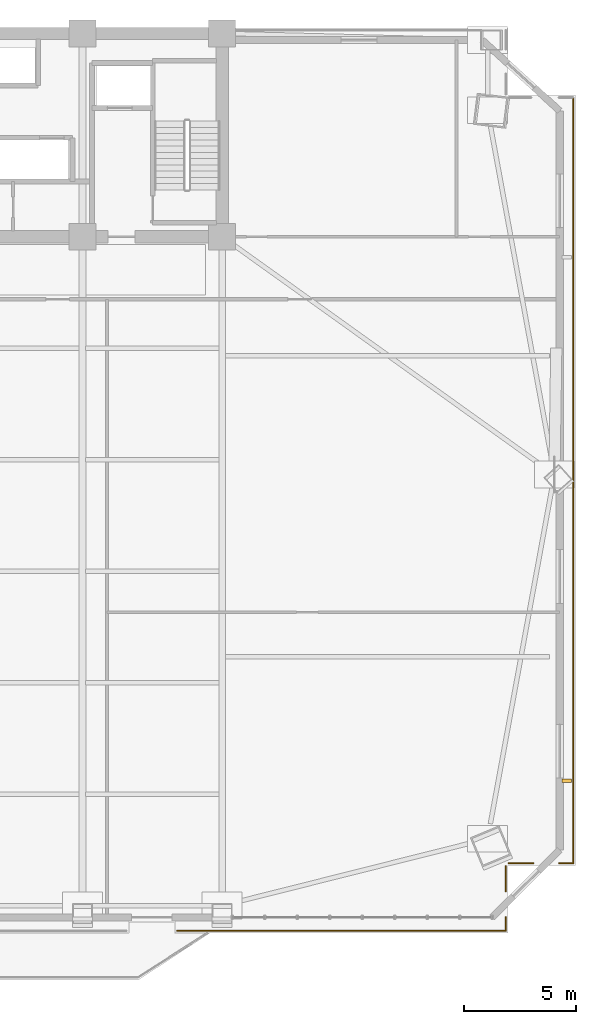
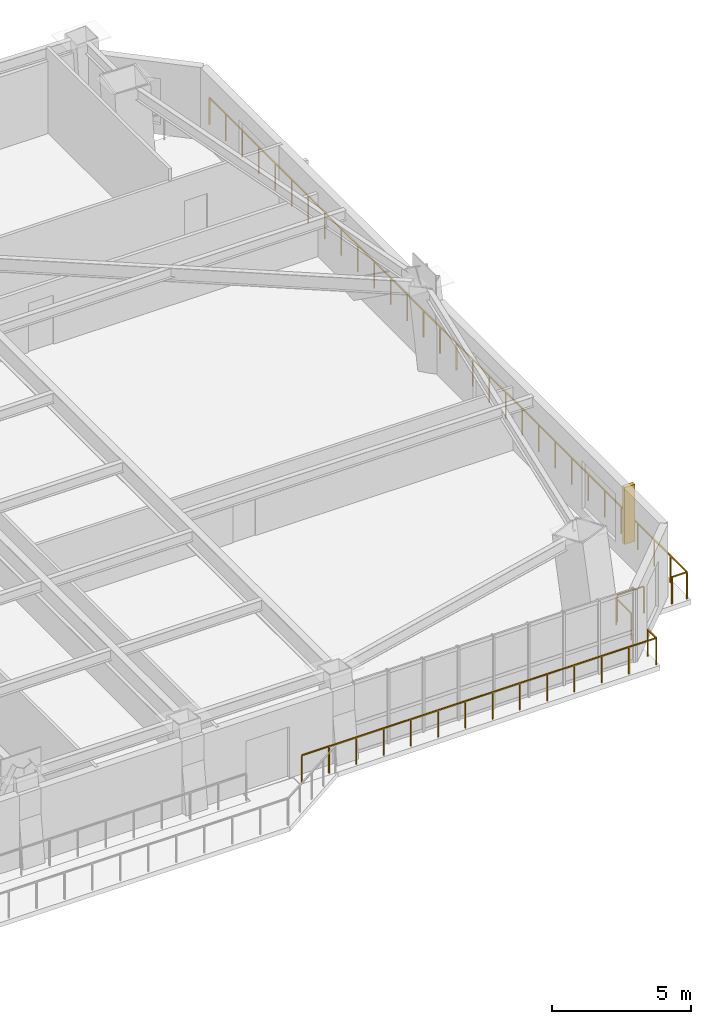
# One storey, part 13 of 15: 6 railings, 1 shading device.
"""IFC4 building model written with IfcOpenShell, lengths in metres."""

from ifc_helpers import new_model, si_unit, direction, frame, origin, origin_2d, place, context, subcontext, project, spatial, rectangle, extrude, source, transform, mapped, material, type_object, element, save


model = new_model("IFC4")

# Units and contexts
model_context = context("Model", 3, precision=1e-05, world=origin(), true_north=direction((0.0, 1.0)))
body_context = subcontext(model_context, "Body", "Model", "MODEL_VIEW")
ifc_project = project(units=[si_unit("LENGTHUNIT", "METRE"), si_unit("AREAUNIT", "SQUARE_METRE"), si_unit("VOLUMEUNIT", "CUBIC_METRE"), si_unit("PLANEANGLEUNIT", "RADIAN"), si_unit("MASSUNIT", "GRAM", prefix="KILO")], contexts=[model_context])

# Site, building, storey
site_placement = place(None, origin())
site = spatial("IfcSite", under=ifc_project, at=site_placement, CompositionType="ELEMENT")
building_placement = place(site_placement, origin())
building = spatial("IfcBuilding", under=site, at=building_placement, Name="Giltprow Tower", CompositionType="ELEMENT")
storey_placement = place(building_placement, frame((0.0, 0.0, 119.199951171875)))
storey = spatial("IfcBuildingStorey", under=building, at=storey_placement, Name="L29", CompositionType="ELEMENT", Elevation=119.199951171875)

# Railings
ifc_material = material(Name="Anodized bronze", Category="metal")
railing_type = type_object("IfcRailingType", Name="RAIL-BALC-GUARD-1200", PredefinedType="BALUSTRADE", material=ifc_material)
railing_1_placement = place(storey_placement, frame((66.256103515625, 43.68310546875, 0.0)))
element("IfcRailing", 1, at=railing_1_placement, inside=storey, type_object=railing_type, Name="L29 Corner Apron Edge Balustrade 16", PredefinedType="BALUSTRADE", context=body_context, shape_type="SweptSolid", body=[
    extrude(rectangle(XDim=0.048095703125, YDim=0.048095703125, at=origin_2d()), frame((0.0, 0.0, 1.17578125), z_axis=(0.0, -1.0, 0.0), x_axis=(1.0, 0.0, 0.0)), (0.0, 0.0, 1.0), 34.276123046875),
    extrude(rectangle(XDim=0.0419921875, YDim=0.0419921875, at=origin_2d()), origin(), (0.0, 0.0, 1.0), 1.15185546875),
    extrude(rectangle(XDim=0.0419921875, YDim=0.0419921875, at=origin_2d()), frame((0.0, -1.181884765625, 0.0)), (0.0, 0.0, 1.0), 1.15185546875),
    extrude(rectangle(XDim=0.0419921875, YDim=0.0419921875, at=origin_2d()), frame((0.0, -2.36376953125, 0.0)), (0.0, 0.0, 1.0), 1.15185546875),
    extrude(rectangle(XDim=0.0419921875, YDim=0.0419921875, at=origin_2d()), frame((0.0, -3.5458984375, 0.0)), (0.0, 0.0, 1.0), 1.15185546875),
    extrude(rectangle(XDim=0.0419921875, YDim=0.0419921875, at=origin_2d()), frame((0.0, -4.727783203125, 0.0)), (0.0, 0.0, 1.0), 1.15185546875),
    extrude(rectangle(XDim=0.0419921875, YDim=0.0419921875, at=origin_2d()), frame((0.0, -5.90966796875, 0.0)), (0.0, 0.0, 1.0), 1.15185546875),
    extrude(rectangle(XDim=0.0419921875, YDim=0.0419921875, at=origin_2d()), frame((0.0, -7.091552734375, 0.0)), (0.0, 0.0, 1.0), 1.15185546875),
    extrude(rectangle(XDim=0.0419921875, YDim=0.0419921875, at=origin_2d()), frame((0.0, -8.2734375, 0.0)), (0.0, 0.0, 1.0), 1.15185546875),
    extrude(rectangle(XDim=0.0419921875, YDim=0.0419921875, at=origin_2d()), frame((0.0, -9.45556640625, 0.0)), (0.0, 0.0, 1.0), 1.15185546875),
    extrude(rectangle(XDim=0.0419921875, YDim=0.0419921875, at=origin_2d()), frame((0.0, -10.637451171875, 0.0)), (0.0, 0.0, 1.0), 1.15185546875),
    extrude(rectangle(XDim=0.0419921875, YDim=0.0419921875, at=origin_2d()), frame((0.0, -11.8193359375, 0.0)), (0.0, 0.0, 1.0), 1.15185546875),
    extrude(rectangle(XDim=0.0419921875, YDim=0.0419921875, at=origin_2d()), frame((0.0, -13.001220703125, 0.0)), (0.0, 0.0, 1.0), 1.15185546875),
    extrude(rectangle(XDim=0.0419921875, YDim=0.0419921875, at=origin_2d()), frame((0.0, -14.18310546875, 0.0)), (0.0, 0.0, 1.0), 1.15185546875),
    extrude(rectangle(XDim=0.0419921875, YDim=0.0419921875, at=origin_2d()), frame((0.0, -15.365234375, 0.0)), (0.0, 0.0, 1.0), 1.15185546875),
    extrude(rectangle(XDim=0.0419921875, YDim=0.0419921875, at=origin_2d()), frame((0.0, -16.547119140625, 0.0)), (0.0, 0.0, 1.0), 1.15185546875),
    extrude(rectangle(XDim=0.0419921875, YDim=0.0419921875, at=origin_2d()), frame((0.0, -17.72900390625, 0.0)), (0.0, 0.0, 1.0), 1.15185546875),
    extrude(rectangle(XDim=0.0419921875, YDim=0.0419921875, at=origin_2d()), frame((0.0, -18.910888671875, 0.0)), (0.0, 0.0, 1.0), 1.15185546875),
    extrude(rectangle(XDim=0.0419921875, YDim=0.0419921875, at=origin_2d()), frame((0.0, -20.093017578125, 0.0)), (0.0, 0.0, 1.0), 1.15185546875),
    extrude(rectangle(XDim=0.0419921875, YDim=0.0419921875, at=origin_2d()), frame((0.0, -21.27490234375, 0.0)), (0.0, 0.0, 1.0), 1.15185546875),
    extrude(rectangle(XDim=0.0419921875, YDim=0.0419921875, at=origin_2d()), frame((0.0, -22.456787109375, 0.0)), (0.0, 0.0, 1.0), 1.15185546875),
    extrude(rectangle(XDim=0.0419921875, YDim=0.0419921875, at=origin_2d()), frame((0.0, -23.638671875, 0.0)), (0.0, 0.0, 1.0), 1.15185546875),
    extrude(rectangle(XDim=0.0419921875, YDim=0.0419921875, at=origin_2d()), frame((0.0, -24.820556640625, 0.0)), (0.0, 0.0, 1.0), 1.15185546875),
    extrude(rectangle(XDim=0.0419921875, YDim=0.0419921875, at=origin_2d()), frame((0.0, -26.002685546875, 0.0)), (0.0, 0.0, 1.0), 1.15185546875),
    extrude(rectangle(XDim=0.0419921875, YDim=0.0419921875, at=origin_2d()), frame((0.0, -27.1845703125, 0.0)), (0.0, 0.0, 1.0), 1.15185546875),
    extrude(rectangle(XDim=0.0419921875, YDim=0.0419921875, at=origin_2d()), frame((0.0, -28.366455078125, 0.0)), (0.0, 0.0, 1.0), 1.15185546875),
    extrude(rectangle(XDim=0.0419921875, YDim=0.0419921875, at=origin_2d()), frame((0.0, -29.54833984375, 0.0)), (0.0, 0.0, 1.0), 1.15185546875),
    extrude(rectangle(XDim=0.0419921875, YDim=0.0419921875, at=origin_2d()), frame((0.0, -30.730224609375, 0.0)), (0.0, 0.0, 1.0), 1.15185546875),
    extrude(rectangle(XDim=0.0419921875, YDim=0.0419921875, at=origin_2d()), frame((0.0, -31.912353515625, 0.0)), (0.0, 0.0, 1.0), 1.15185546875),
    extrude(rectangle(XDim=0.0419921875, YDim=0.0419921875, at=origin_2d()), frame((0.0, -33.09423828125, 0.0)), (0.0, 0.0, 1.0), 1.15185546875),
    extrude(rectangle(XDim=0.0419921875, YDim=0.0419921875, at=origin_2d()), frame((0.0, -34.276123046875, 0.0)), (0.0, 0.0, 1.0), 1.15185546875),
])
railing_2_placement = place(storey_placement, frame((66.256103515625, 9.406982421875, 0.0)))
element("IfcRailing", 2, at=railing_2_placement, inside=storey, type_object=railing_type, Name="L29 Corner Apron Edge Balustrade 17", PredefinedType="BALUSTRADE", context=body_context, shape_type="SweptSolid", body=[
    extrude(rectangle(XDim=0.048095703125, YDim=0.048095703125, at=origin_2d()), frame((0.0, 0.0, 1.17578125), z_axis=(-1.0, 0.0, 0.0), x_axis=(0.0, -1.0, 0.0)), (0.0, 0.0, 1.0), 0.6201171875),
    extrude(rectangle(XDim=0.0419921875, YDim=0.0419921875, at=origin_2d()), origin(), (0.0, 0.0, 1.0), 1.15185546875),
    extrude(rectangle(XDim=0.0419921875, YDim=0.0419921875, at=origin_2d()), frame((-0.6201171875, 0.0, 0.0)), (0.0, 0.0, 1.0), 1.15185546875),
])
railing_3_placement = place(storey_placement, frame((64.47607421875, 9.406982421875, 0.0)))
element("IfcRailing", 3, at=railing_3_placement, inside=storey, type_object=railing_type, Name="L29 Corner Apron Edge Balustrade 18", PredefinedType="BALUSTRADE", context=body_context, shape_type="SweptSolid", body=[
    extrude(rectangle(XDim=0.048095703125, YDim=0.048095703125, at=origin_2d()), frame((0.0, 0.0, 1.17578125), z_axis=(-1.0, 0.0, 0.0), x_axis=(0.0, -1.0, 0.0)), (0.0, 0.0, 1.0), 1.10205078125),
    extrude(rectangle(XDim=0.0419921875, YDim=0.0419921875, at=origin_2d()), origin(), (0.0, 0.0, 1.0), 1.15185546875),
    extrude(rectangle(XDim=0.0419921875, YDim=0.0419921875, at=origin_2d()), frame((-1.10205078125, 0.0, 0.0)), (0.0, 0.0, 1.0), 1.15185546875),
])
railing_4_placement = place(storey_placement, frame((63.239013671875, 9.27197265625, 0.0)))
element("IfcRailing", 4, at=railing_4_placement, inside=storey, type_object=railing_type, Name="L29 Corner Apron Edge Balustrade 19", PredefinedType="BALUSTRADE", context=body_context, shape_type="SweptSolid", body=[
    extrude(rectangle(XDim=0.048095703125, YDim=0.048095703125, at=origin_2d()), frame((0.0, 0.0, 1.17578125), z_axis=(0.0, -1.0, 0.0), x_axis=(1.0, 0.0, 0.0)), (0.0, 0.0, 1.0), 1.10205078125),
    extrude(rectangle(XDim=0.0419921875, YDim=0.0419921875, at=origin_2d()), origin(), (0.0, 0.0, 1.0), 1.15185546875),
    extrude(rectangle(XDim=0.0419921875, YDim=0.0419921875, at=origin_2d()), frame((0.0, -1.10205078125, 0.0)), (0.0, 0.0, 1.0), 1.15185546875),
])
railing_5_placement = place(storey_placement, frame((63.239013671875, 7.010009765625, 0.0)))
element("IfcRailing", 5, at=railing_5_placement, inside=storey, type_object=railing_type, Name="L29 Corner Apron Edge Balustrade 20", PredefinedType="BALUSTRADE", context=body_context, shape_type="SweptSolid", body=[
    extrude(rectangle(XDim=0.048095703125, YDim=0.048095703125, at=origin_2d()), frame((0.0, 0.0, 1.17578125), z_axis=(0.0, -1.0, 0.0), x_axis=(1.0, 0.0, 0.0)), (0.0, 0.0, 1.0), 0.6201171875),
    extrude(rectangle(XDim=0.0419921875, YDim=0.0419921875, at=origin_2d()), origin(), (0.0, 0.0, 1.0), 1.15185546875),
    extrude(rectangle(XDim=0.0419921875, YDim=0.0419921875, at=origin_2d()), frame((0.0, -0.6201171875, 0.0)), (0.0, 0.0, 1.0), 1.15185546875),
])
railing_6_placement = place(storey_placement, frame((63.239013671875, 6.389892578125, 0.0)))
element("IfcRailing", 6, at=railing_6_placement, inside=storey, type_object=railing_type, Name="L29 Corner Apron Edge Balustrade 21", PredefinedType="BALUSTRADE", context=body_context, shape_type="SweptSolid", body=[
    extrude(rectangle(XDim=0.048095703125, YDim=0.048095703125, at=origin_2d()), frame((0.0, 0.0, 1.17578125), z_axis=(-1.0, 0.0, 0.0), x_axis=(0.0, -1.0, 0.0)), (0.0, 0.0, 1.0), 14.68896484375),
    extrude(rectangle(XDim=0.0419921875, YDim=0.0419921875, at=origin_2d()), origin(), (0.0, 0.0, 1.0), 1.15185546875),
    extrude(rectangle(XDim=0.0419921875, YDim=0.0419921875, at=origin_2d()), frame((-1.1298828125, 0.0, 0.0)), (0.0, 0.0, 1.0), 1.15185546875),
    extrude(rectangle(XDim=0.0419921875, YDim=0.0419921875, at=origin_2d()), frame((-2.259765625, 0.0, 0.0)), (0.0, 0.0, 1.0), 1.15185546875),
    extrude(rectangle(XDim=0.0419921875, YDim=0.0419921875, at=origin_2d()), frame((-3.3896484375, 0.0, 0.0)), (0.0, 0.0, 1.0), 1.15185546875),
    extrude(rectangle(XDim=0.0419921875, YDim=0.0419921875, at=origin_2d()), frame((-4.519775390625, 0.0, 0.0)), (0.0, 0.0, 1.0), 1.15185546875),
    extrude(rectangle(XDim=0.0419921875, YDim=0.0419921875, at=origin_2d()), frame((-5.649658203125, 0.0, 0.0)), (0.0, 0.0, 1.0), 1.15185546875),
    extrude(rectangle(XDim=0.0419921875, YDim=0.0419921875, at=origin_2d()), frame((-6.779541015625, 0.0, 0.0)), (0.0, 0.0, 1.0), 1.15185546875),
    extrude(rectangle(XDim=0.0419921875, YDim=0.0419921875, at=origin_2d()), frame((-7.909423828125, 0.0, 0.0)), (0.0, 0.0, 1.0), 1.15185546875),
    extrude(rectangle(XDim=0.0419921875, YDim=0.0419921875, at=origin_2d()), frame((-9.039306640625, 0.0, 0.0)), (0.0, 0.0, 1.0), 1.15185546875),
    extrude(rectangle(XDim=0.0419921875, YDim=0.0419921875, at=origin_2d()), frame((-10.169189453125, 0.0, 0.0)), (0.0, 0.0, 1.0), 1.15185546875),
    extrude(rectangle(XDim=0.0419921875, YDim=0.0419921875, at=origin_2d()), frame((-11.29931640625, 0.0, 0.0)), (0.0, 0.0, 1.0), 1.15185546875),
    extrude(rectangle(XDim=0.0419921875, YDim=0.0419921875, at=origin_2d()), frame((-12.42919921875, 0.0, 0.0)), (0.0, 0.0, 1.0), 1.15185546875),
    extrude(rectangle(XDim=0.0419921875, YDim=0.0419921875, at=origin_2d()), frame((-13.55908203125, 0.0, 0.0)), (0.0, 0.0, 1.0), 1.15185546875),
    extrude(rectangle(XDim=0.0419921875, YDim=0.0419921875, at=origin_2d()), frame((-14.68896484375, 0.0, 0.0)), (0.0, 0.0, 1.0), 1.15185546875),
])

# Shading device
shading_device_type = type_object("IfcShadingDeviceType", Name="SHD-FIN-420", PredefinedType="USERDEFINED", material=ifc_material)
shared_shape = source(origin(), body_context, "Body", "SweptSolid", [
    extrude(rectangle(XDim=0.419921875, YDim=0.159912109375, at=origin_2d()), origin(), (0.0, 0.0, 1.0), 2.5),
])
shading_device_placement = place(storey_placement, frame((65.97607421875, 13.110107421875, 0.35009765625), z_axis=(0.0, 0.0, 1.0), x_axis=(1.0, 0.0, 0.0)))
element("IfcShadingDevice", 7, at=shading_device_placement, inside=storey, type_object=shading_device_type, Name="L29 E Bronze Vertical Fin 1-1", ObjectType="FIN", PredefinedType="USERDEFINED", context=body_context, shape_type="MappedRepresentation", body=[
    mapped(shared_shape, transform((0.0, 0.0, 0.0), x_axis=(1.0, 0.0, 0.0), y_axis=(0.0, 1.0, 0.0), z_axis=(0.0, 0.0, 1.0), scale=1.0)),
])

save(model, "model.ifc")
